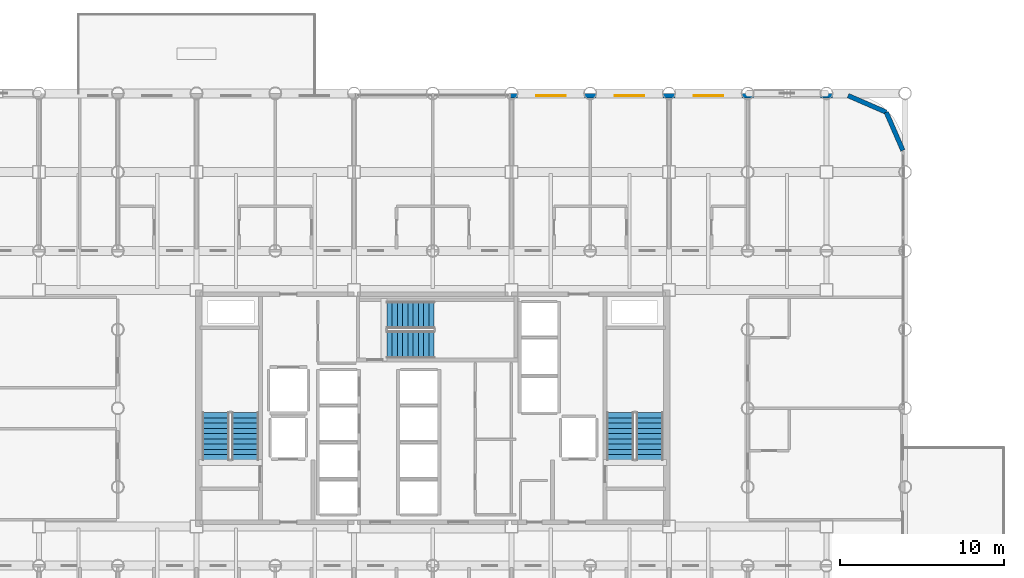
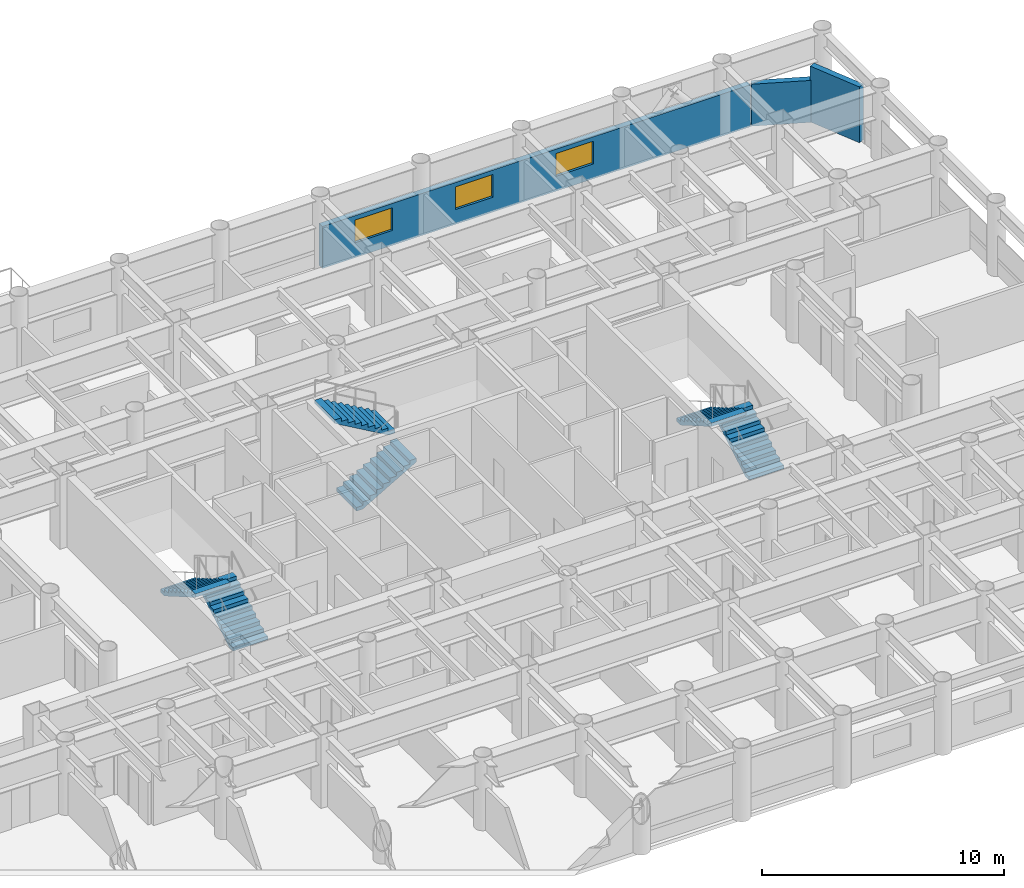
# One storey, part 22 of 24: 6 stair flights, 3 walls, 3 windows, 3 openings, 3 elements without a shape of their own.
"""IFC4 building model written with IfcOpenShell, lengths in metres."""

from ifc_helpers import new_model, si_unit, direction, frame, frame_2d, origin, place, context, subcontext, project, spatial, polyline, rectangle, outline, extrude, material, layer, layer_set, type_object, element, fill, aggregate, save


model = new_model("IFC4")

# Units and contexts
model_context = context("Model", 3, precision=1e-05, world=origin(), true_north=direction((0.0, 1.0)))
body_context = subcontext(model_context, "Body", "Model", "MODEL_VIEW")
ifc_project = project(units=[si_unit("LENGTHUNIT", "METRE"), si_unit("AREAUNIT", "SQUARE_METRE"), si_unit("VOLUMEUNIT", "CUBIC_METRE"), si_unit("PLANEANGLEUNIT", "RADIAN"), si_unit("MASSUNIT", "GRAM", prefix="KILO")], contexts=[model_context])

# Site, building, storey
site_placement = place(None, origin())
site = spatial("IfcSite", under=ifc_project, at=site_placement, CompositionType="ELEMENT")
building_placement = place(site_placement, origin())
building = spatial("IfcBuilding", under=site, at=building_placement, Name="Kallvorn Hotel Tower", CompositionType="ELEMENT")
storey_placement = place(building_placement, frame((0.0, 0.0, 30.0)))
storey = spatial("IfcBuildingStorey", under=building, at=storey_placement, Name="L05", CompositionType="ELEMENT", Elevation=30.0)

# Walls
ifc_material_1 = material(Name="Precast basalt-clad insulated concrete wall C40/50", Category="masonry")
ifc_layer = layer(ifc_material_1, 0.280029296875)
ifc_layer_set = layer_set([ifc_layer], Name="WL_EXT_LOGGIA_280")
wall_type = type_object("IfcWallType", Name="WL_EXT_LOGGIA_280", PredefinedType="SOLIDWALL", material=ifc_layer_set)
wall_1_placement = place(storey_placement, frame((28.657958984375, 15.720703125, 0.0), z_axis=(0.0, 0.0, 1.0), x_axis=(-0.398792985289, 0.917040977756, 0.0)))
element("IfcWall", 1, at=wall_1_placement, inside=storey, type_object=wall_type, Name="L05 Rounded Corner Exterior Wall NE1", PredefinedType="SOLIDWALL", context=body_context, shape_type="SweptSolid", body=[
    extrude(rectangle(XDim=2.536376953125, YDim=0.280029296875, at=frame_2d((1.26806640625, 0.0))), origin(), (0.0, 0.0, 1.0), 2.820068359375),
])
wall_2_placement = place(storey_placement, frame((27.646484375, 18.046630859375, 0.0), z_axis=(0.0, 0.0, 1.0), x_axis=(-0.917060872934, 0.398747232384, 0.0)))
element("IfcWall", 2, at=wall_2_placement, inside=storey, type_object=wall_type, Name="L05 Rounded Corner Exterior Wall NE2", PredefinedType="SOLIDWALL", context=body_context, shape_type="SweptSolid", body=[
    extrude(rectangle(XDim=2.5361328125, YDim=0.280029296875, at=frame_2d((1.26806640625, 0.0))), origin(), (0.0, 0.0, 1.0), 2.1201171875),
])

# Wall, openings, windows
wall_3_placement = place(storey_placement, frame((4.75, 19.06005859375, 0.0), z_axis=(0.0, 0.0, 1.0), x_axis=(1.0, 0.0, 0.0)))
wall_3 = element("IfcWall", 3, at=wall_3_placement, inside=storey, type_object=wall_type, Name="L05 Exterior Envelope Wall EW-L05-NE", PredefinedType="SOLIDWALL", context=body_context, shape_type="SweptSolid", body=[
    extrude(rectangle(XDim=20.449951171875, YDim=0.280029296875, at=frame_2d((10.22509765625, 0.0))), origin(), (0.0, 0.0, 1.0), 2.1201171875),
])
opening_1_placement = place(wall_3_placement, frame((1.550048828125, 0.0, 0.75)))
opening_1 = element("IfcOpeningElement", 4, at=opening_1_placement, cuts=wall_3, Name="Opening W04A", PredefinedType="OPENING", context=body_context, shape_type="SweptSolid", body=[
    extrude(rectangle(XDim=1.800048828125, YDim=1.14990234375, at=frame_2d((0.89990234375, 0.574951171875))), frame((0.0, 0.155029296875, 0.0), z_axis=(0.0, -1.0, 0.0), x_axis=(1.0, 0.0, 0.0)), (0.0, 0.0, 1.0), 0.31005859375),
])
opening_2_placement = place(wall_3_placement, frame((6.35009765625, 0.0, 0.75)))
opening_2 = element("IfcOpeningElement", 5, at=opening_2_placement, cuts=wall_3, Name="Opening W04A", PredefinedType="OPENING", context=body_context, shape_type="SweptSolid", body=[
    extrude(rectangle(XDim=1.800048828125, YDim=1.14990234375, at=frame_2d((0.89990234375, 0.574951171875))), frame((0.0, 0.155029296875, 0.0), z_axis=(0.0, -1.0, 0.0), x_axis=(1.0, 0.0, 0.0)), (0.0, 0.0, 1.0), 0.31005859375),
])
opening_3_placement = place(wall_3_placement, frame((11.14990234375, 0.0, 0.75)))
opening_3 = element("IfcOpeningElement", 6, at=opening_3_placement, cuts=wall_3, Name="Opening W04A", PredefinedType="OPENING", context=body_context, shape_type="SweptSolid", body=[
    extrude(rectangle(XDim=1.800048828125, YDim=1.14990234375, at=frame_2d((0.89990234375, 0.574951171875))), frame((0.0, 0.155029296875, 0.0), z_axis=(0.0, -1.0, 0.0), x_axis=(1.0, 0.0, 0.0)), (0.0, 0.0, 1.0), 0.31005859375),
])
ifc_material_2 = material(Name="Double-glazed low-e solar-control dark glass", Category="glass")
window_type = type_object("IfcWindowType", Name="WN_HTL_1800x1150", PartitioningType="SINGLE_PANEL", PredefinedType="WINDOW", material=ifc_material_2)
window_1_placement = place(opening_1_placement, origin())
window_1 = element("IfcWindow", 7, at=window_1_placement, inside=storey, type_object=window_type, Name="L05 Guestroom Exterior Window 13", OverallHeight=1.14990234375, OverallWidth=1.800048828125, PartitioningType="SINGLE_PANEL", PredefinedType="WINDOW", context=body_context, shape_type="SweptSolid", body=[
    extrude(rectangle(XDim=1.800048828125, YDim=1.14990234375, at=frame_2d((0.89990234375, 0.574951171875))), frame((0.0, 0.030029296875, 0.0), z_axis=(0.0, -1.0, 0.0), x_axis=(1.0, 0.0, 0.0)), (0.0, 0.0, 1.0), 0.06005859375),
])
fill(opening_1, window_1)
window_2_placement = place(opening_2_placement, origin())
window_2 = element("IfcWindow", 8, at=window_2_placement, inside=storey, type_object=window_type, Name="L05 Guestroom Exterior Window 14", OverallHeight=1.14990234375, OverallWidth=1.800048828125, PartitioningType="SINGLE_PANEL", PredefinedType="WINDOW", context=body_context, shape_type="SweptSolid", body=[
    extrude(rectangle(XDim=1.800048828125, YDim=1.14990234375, at=frame_2d((0.89990234375, 0.574951171875))), frame((0.0, 0.030029296875, 0.0), z_axis=(0.0, -1.0, 0.0), x_axis=(1.0, 0.0, 0.0)), (0.0, 0.0, 1.0), 0.06005859375),
])
fill(opening_2, window_2)
window_3_placement = place(opening_3_placement, origin())
window_3 = element("IfcWindow", 9, at=window_3_placement, inside=storey, type_object=window_type, Name="L05 Guestroom Exterior Window 15", OverallHeight=1.14990234375, OverallWidth=1.800048828125, PartitioningType="SINGLE_PANEL", PredefinedType="WINDOW", context=body_context, shape_type="SweptSolid", body=[
    extrude(rectangle(XDim=1.800048828125, YDim=1.14990234375, at=frame_2d((0.89990234375, 0.574951171875))), frame((0.0, 0.030029296875, 0.0), z_axis=(0.0, -1.0, 0.0), x_axis=(1.0, 0.0, 0.0)), (0.0, 0.0, 1.0), 0.06005859375),
])
fill(opening_3, window_3)

# Stair, stair flights
ifc_material_3 = material(Name="Precast concrete C40/50", Category="concrete")
stair_type = type_object("IfcStairType", Name="STR_CORE_DOGLEG", PredefinedType="HALF_TURN_STAIR", material=ifc_material_3)
stair_1_placement = place(storey_placement, origin())
stair_1 = element("IfcStair", 10, at=stair_1_placement, inside=storey, type_object=stair_type, Name="L05 Exit stair ST1", PredefinedType="HALF_TURN_STAIR")
ifc_material_4 = material(Name="Precast concrete C40/50", Category="concrete")
stair_flight_type = type_object("IfcStairFlightType", Name="FLT_CORE_1660", PredefinedType="STRAIGHT", material=ifc_material_4)
stair_flight_1_placement = place(storey_placement, frame((-11.429931640625, -3.139892578125, 0.0), z_axis=(0.0, 0.0, 1.0), x_axis=(0.0, 1.0, 0.0)))
stair_flight_1 = element("IfcStairFlight", 11, at=stair_flight_1_placement, type_object=stair_flight_type, Name="ST1 flight 1", NumberOfRisers=10, NumberOfTreads=9, PredefinedType="STRAIGHT", RiserHeight=0.185, TreadLength=0.32, context=body_context, shape_type="SweptSolid", body=[
    extrude(outline(polyline([(0.0, 0.0), (0.0, 0.18505859375), (0.320068359375, 0.18505859375), (0.320068359375, 0.3701171875), (0.639892578125, 0.3701171875), (0.639892578125, 0.554931640625), (0.9599609375, 0.554931640625), (0.9599609375, 0.739990234375), (1.280029296875, 0.739990234375), (1.280029296875, 0.925048828125), (1.60009765625, 0.925048828125), (1.60009765625, 1.110107421875), (1.919921875, 1.110107421875), (1.919921875, 1.294921875), (2.239990234375, 1.294921875), (2.239990234375, 1.47998046875), (2.56005859375, 1.47998046875), (2.56005859375, 1.6650390625), (2.8798828125, 1.6650390625), (2.8798828125, 1.85009765625), (2.8798828125, 1.491943359375), (0.299560546875, 0.0), (0.0, 0.0)])), frame((0.0, 0.830078125, 0.0), z_axis=(0.0, -1.0, 0.0), x_axis=(1.0, 0.0, 0.0)), (0.0, 0.0, 1.0), 1.659912109375),
])
stair_flight_2_placement = place(storey_placement, frame((-13.22998046875, -0.260009765625, 1.85009765625), z_axis=(0.0, 0.0, 1.0), x_axis=(0.0, -1.0, 0.0)))
stair_flight_2 = element("IfcStairFlight", 12, at=stair_flight_2_placement, type_object=stair_flight_type, Name="ST1 flight 2", NumberOfRisers=10, NumberOfTreads=9, PredefinedType="STRAIGHT", RiserHeight=0.185, TreadLength=0.32, context=body_context, shape_type="SweptSolid", body=[
    extrude(outline(polyline([(0.0, 0.0), (0.0, 0.18505859375), (0.320068359375, 0.18505859375), (0.320068359375, 0.3701171875), (0.639892578125, 0.3701171875), (0.639892578125, 0.554931640625), (0.9599609375, 0.554931640625), (0.9599609375, 0.739990234375), (1.280029296875, 0.739990234375), (1.280029296875, 0.925048828125), (1.60009765625, 0.925048828125), (1.60009765625, 1.110107421875), (1.919921875, 1.110107421875), (1.919921875, 1.294921875), (2.239990234375, 1.294921875), (2.239990234375, 1.47998046875), (2.56005859375, 1.47998046875), (2.56005859375, 1.6650390625), (2.8798828125, 1.6650390625), (2.8798828125, 1.85009765625), (2.8798828125, 1.491943359375), (0.299560546875, 0.0), (0.0, 0.0)])), frame((0.0, 0.830078125, 0.0), z_axis=(0.0, -1.0, 0.0), x_axis=(1.0, 0.0, 0.0)), (0.0, 0.0, 1.0), 1.659912109375),
])
aggregate(stair_1, [stair_flight_1, stair_flight_2])

stair_2_placement = place(storey_placement, origin())
stair_2 = element("IfcStair", 13, at=stair_2_placement, inside=storey, type_object=stair_type, Name="L05 Exit stair ST2", PredefinedType="HALF_TURN_STAIR")
stair_flight_3_placement = place(storey_placement, frame((13.22998046875, -3.139892578125, 0.0), z_axis=(0.0, 0.0, 1.0), x_axis=(0.0, 1.0, 0.0)))
stair_flight_3 = element("IfcStairFlight", 14, at=stair_flight_3_placement, type_object=stair_flight_type, Name="ST2 flight 1", NumberOfRisers=10, NumberOfTreads=9, PredefinedType="STRAIGHT", RiserHeight=0.185, TreadLength=0.32, context=body_context, shape_type="SweptSolid", body=[
    extrude(outline(polyline([(0.0, 0.0), (0.0, 0.18505859375), (0.320068359375, 0.18505859375), (0.320068359375, 0.3701171875), (0.639892578125, 0.3701171875), (0.639892578125, 0.554931640625), (0.9599609375, 0.554931640625), (0.9599609375, 0.739990234375), (1.280029296875, 0.739990234375), (1.280029296875, 0.925048828125), (1.60009765625, 0.925048828125), (1.60009765625, 1.110107421875), (1.919921875, 1.110107421875), (1.919921875, 1.294921875), (2.239990234375, 1.294921875), (2.239990234375, 1.47998046875), (2.56005859375, 1.47998046875), (2.56005859375, 1.6650390625), (2.8798828125, 1.6650390625), (2.8798828125, 1.85009765625), (2.8798828125, 1.491943359375), (0.299560546875, 0.0), (0.0, 0.0)])), frame((0.0, 0.830078125, 0.0), z_axis=(0.0, -1.0, 0.0), x_axis=(1.0, 0.0, 0.0)), (0.0, 0.0, 1.0), 1.659912109375),
])
stair_flight_4_placement = place(storey_placement, frame((11.429931640625, -0.260009765625, 1.85009765625), z_axis=(0.0, 0.0, 1.0), x_axis=(0.0, -1.0, 0.0)))
stair_flight_4 = element("IfcStairFlight", 15, at=stair_flight_4_placement, type_object=stair_flight_type, Name="ST2 flight 2", NumberOfRisers=10, NumberOfTreads=9, PredefinedType="STRAIGHT", RiserHeight=0.185, TreadLength=0.32, context=body_context, shape_type="SweptSolid", body=[
    extrude(outline(polyline([(0.0, 0.0), (0.0, 0.18505859375), (0.320068359375, 0.18505859375), (0.320068359375, 0.3701171875), (0.639892578125, 0.3701171875), (0.639892578125, 0.554931640625), (0.9599609375, 0.554931640625), (0.9599609375, 0.739990234375), (1.280029296875, 0.739990234375), (1.280029296875, 0.925048828125), (1.60009765625, 0.925048828125), (1.60009765625, 1.110107421875), (1.919921875, 1.110107421875), (1.919921875, 1.294921875), (2.239990234375, 1.294921875), (2.239990234375, 1.47998046875), (2.56005859375, 1.47998046875), (2.56005859375, 1.6650390625), (2.8798828125, 1.6650390625), (2.8798828125, 1.85009765625), (2.8798828125, 1.491943359375), (0.299560546875, 0.0), (0.0, 0.0)])), frame((0.0, 0.830078125, 0.0), z_axis=(0.0, -1.0, 0.0), x_axis=(1.0, 0.0, 0.0)), (0.0, 0.0, 1.0), 1.659912109375),
])
aggregate(stair_2, [stair_flight_3, stair_flight_4])

stair_3_placement = place(storey_placement, origin())
stair_3 = element("IfcStair", 16, at=stair_3_placement, inside=storey, type_object=stair_type, Name="L05 Exit stair ST3", PredefinedType="HALF_TURN_STAIR")
stair_flight_5_placement = place(storey_placement, frame((-2.7900390625, 3.8798828125, 0.0), z_axis=(0.0, 0.0, 1.0), x_axis=(1.0, 0.0, 0.0)))
stair_flight_5 = element("IfcStairFlight", 17, at=stair_flight_5_placement, type_object=stair_flight_type, Name="ST3 flight 1", NumberOfRisers=10, NumberOfTreads=9, PredefinedType="STRAIGHT", RiserHeight=0.185, TreadLength=0.32, context=body_context, shape_type="SweptSolid", body=[
    extrude(outline(polyline([(0.0, 0.0), (0.0, 0.18505859375), (0.320068359375, 0.18505859375), (0.320068359375, 0.3701171875), (0.639892578125, 0.3701171875), (0.639892578125, 0.554931640625), (0.9599609375, 0.554931640625), (0.9599609375, 0.739990234375), (1.280029296875, 0.739990234375), (1.280029296875, 0.925048828125), (1.60009765625, 0.925048828125), (1.60009765625, 1.110107421875), (1.919921875, 1.110107421875), (1.919921875, 1.294921875), (2.239990234375, 1.294921875), (2.239990234375, 1.47998046875), (2.56005859375, 1.47998046875), (2.56005859375, 1.6650390625), (2.8798828125, 1.6650390625), (2.8798828125, 1.85009765625), (2.8798828125, 1.491943359375), (0.299560546875, 0.0), (0.0, 0.0)])), frame((0.0, 0.830078125, 0.0), z_axis=(0.0, -1.0, 0.0), x_axis=(1.0, 0.0, 0.0)), (0.0, 0.0, 1.0), 1.659912109375),
])
stair_flight_6_placement = place(storey_placement, frame((0.090087890625, 5.679931640625, 1.85009765625), z_axis=(0.0, 0.0, 1.0), x_axis=(-1.0, 0.0, 0.0)))
stair_flight_6 = element("IfcStairFlight", 18, at=stair_flight_6_placement, type_object=stair_flight_type, Name="ST3 flight 2", NumberOfRisers=10, NumberOfTreads=9, PredefinedType="STRAIGHT", RiserHeight=0.185, TreadLength=0.32, context=body_context, shape_type="SweptSolid", body=[
    extrude(outline(polyline([(0.0, 0.0), (0.0, 0.18505859375), (0.320068359375, 0.18505859375), (0.320068359375, 0.3701171875), (0.639892578125, 0.3701171875), (0.639892578125, 0.554931640625), (0.9599609375, 0.554931640625), (0.9599609375, 0.739990234375), (1.280029296875, 0.739990234375), (1.280029296875, 0.925048828125), (1.60009765625, 0.925048828125), (1.60009765625, 1.110107421875), (1.919921875, 1.110107421875), (1.919921875, 1.294921875), (2.239990234375, 1.294921875), (2.239990234375, 1.47998046875), (2.56005859375, 1.47998046875), (2.56005859375, 1.6650390625), (2.8798828125, 1.6650390625), (2.8798828125, 1.85009765625), (2.8798828125, 1.491943359375), (0.299560546875, 0.0), (0.0, 0.0)])), frame((0.0, 0.830078125, 0.0), z_axis=(0.0, -1.0, 0.0), x_axis=(1.0, 0.0, 0.0)), (0.0, 0.0, 1.0), 1.659912109375),
])
aggregate(stair_3, [stair_flight_5, stair_flight_6])

save(model, "model.ifc")
